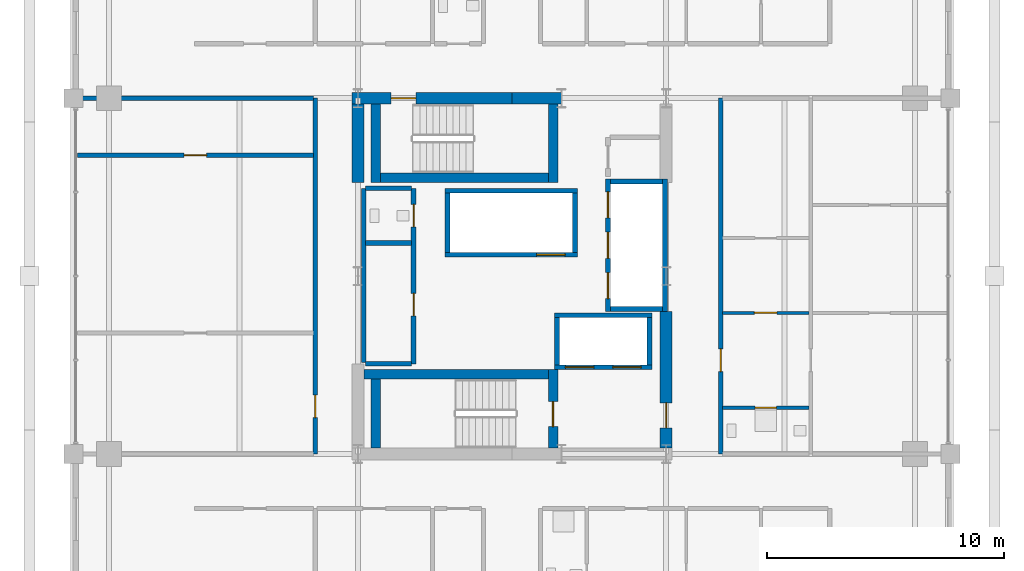
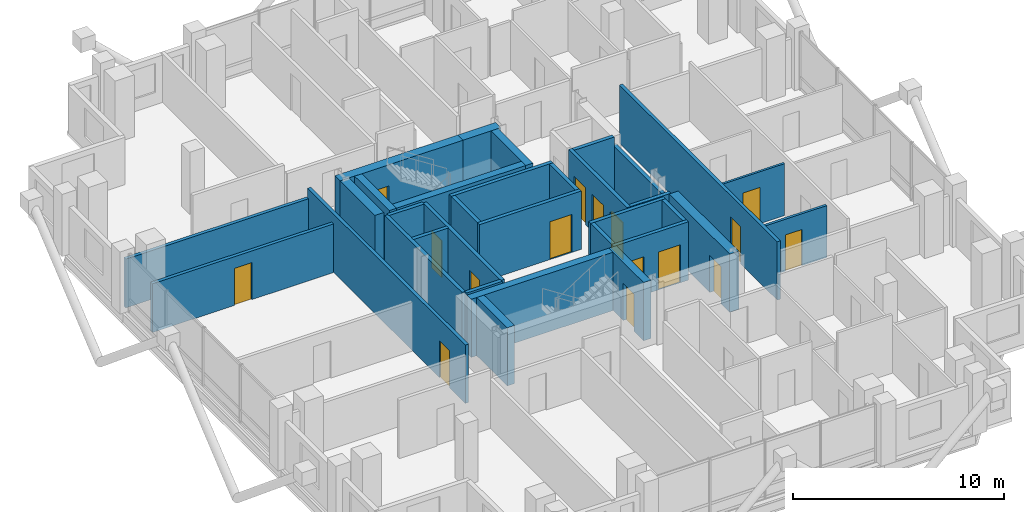
# One storey, part 19 of 24: 33 walls, 16 doors, 16 openings.
"""IFC4 building model written with IfcOpenShell, lengths in metres."""

from ifc_helpers import new_model, si_unit, direction, frame, frame_2d, origin, place, context, subcontext, project, spatial, rectangle, extrude, material, layer, layer_set, type_object, element, fill, save


model = new_model("IFC4")

# Units and contexts
model_context = context("Model", 3, precision=1e-05, world=origin(), true_north=direction((0.0, 1.0)))
body_context = subcontext(model_context, "Body", "Model", "MODEL_VIEW")
ifc_project = project(units=[si_unit("LENGTHUNIT", "METRE"), si_unit("AREAUNIT", "SQUARE_METRE"), si_unit("VOLUMEUNIT", "CUBIC_METRE"), si_unit("PLANEANGLEUNIT", "RADIAN"), si_unit("MASSUNIT", "GRAM", prefix="KILO")], contexts=[model_context])

# Site, building, storey
site_placement = place(None, origin())
site = spatial("IfcSite", under=ifc_project, at=site_placement, CompositionType="ELEMENT")
building_placement = place(site_placement, origin())
building = spatial("IfcBuilding", under=site, at=building_placement, Name="Barlavira Tower and Art Museum", CompositionType="ELEMENT")
storey_placement = place(building_placement, frame((0.0, 0.0, 172.800048828125)))
storey = spatial("IfcBuildingStorey", under=building, at=storey_placement, Name="L44", CompositionType="ELEMENT", Elevation=172.800048828125)

# Wall, opening, door
ifc_material_1 = material(Name="Gypsum acoustic stud partition", Category="gypsum")
ifc_layer_1 = layer(ifc_material_1, 0.1201171875, Name="Gypsum acoustic stud partition")
ifc_layer_set_1 = layer_set([ifc_layer_1], Name="Gypsum acoustic stud partition")
wall_type_1 = type_object("IfcWallType", Name="Apartment Internal Acoustic Partition 120", PredefinedType="PARTITIONING", material=ifc_layer_set_1)
wall_1_placement = place(storey_placement, frame((8.8798828125, -1.550048828125, 0.0), z_axis=(0.0, 0.0, 1.0), x_axis=(1.0, 0.0, 0.0)))
wall_1 = element("IfcWall", 1, at=wall_1_placement, inside=storey, type_object=wall_type_1, Name="L44 Partition Wall 44", PredefinedType="PARTITIONING", context=body_context, shape_type="SweptSolid", body=[
    extrude(rectangle(XDim=3.64013671875, YDim=0.1201171875, at=frame_2d((1.820068359375, 0.0))), origin(), (0.0, 0.0, 1.0), 3.010986328125),
])
opening_1_placement = place(wall_1_placement, frame((1.344970703125, 0.0, 0.0)))
opening_1 = element("IfcOpeningElement", 2, at=opening_1_placement, cuts=wall_1, Name="Opening D-02", PredefinedType="OPENING", context=body_context, shape_type="SweptSolid", body=[
    extrude(rectangle(XDim=0.949951171875, YDim=2.10009765625, at=frame_2d((0.47509765625, 1.050048828125))), frame((0.0, 0.070068359375, 0.0), z_axis=(0.0, -1.0, 0.0), x_axis=(1.0, 0.0, 0.0)), (0.0, 0.0, 1.0), 0.14013671875),
])
ifc_material_2 = material(Name="Engineered coastal hardwood", Category="wood")
door_type_1 = type_object("IfcDoorType", Name="Living and Salon Glazed-Leaf Door 950x2100", OperationType="NOTDEFINED", PredefinedType="DOOR", material=ifc_material_2)
door_1_placement = place(opening_1_placement, origin())
door_1 = element("IfcDoor", 3, at=door_1_placement, inside=storey, type_object=door_type_1, Name="Apartment E1 Kitchen Door", OperationType="SINGLE_SWING_RIGHT", OverallHeight=2.10009765625, OverallWidth=0.949951171875, PredefinedType="DOOR", context=body_context, shape_type="SweptSolid", body=[
    extrude(rectangle(XDim=0.949951171875, YDim=2.10009765625, at=frame_2d((0.47509765625, 1.050048828125))), frame((0.0, 0.02490234375, 0.0), z_axis=(0.0, -1.0, 0.0), x_axis=(1.0, 0.0, 0.0)), (0.0, 0.0, 1.0), 0.050048828125),
])
fill(opening_1, door_1)

ifc_material_3 = material(Name="Concrete C60", Category="concrete")
ifc_layer_2 = layer(ifc_material_3, 0.5, Name="Concrete C60")
ifc_layer_set_2 = layer_set([ifc_layer_2], Name="Concrete C60")
wall_type_2 = type_object("IfcWallType", Name="Core Structural Shear Wall 500 Concrete C60", PredefinedType="SHEAR", material=ifc_layer_set_2)
wall_2_placement = place(storey_placement, frame((-6.75, 7.5, 0.0), z_axis=(0.0, 0.0, 1.0), x_axis=(1.0, 0.0, 0.0)))
wall_2 = element("IfcWall", 4, at=wall_2_placement, inside=storey, type_object=wall_type_2, Name="L44 Core Shear Wall CS-NW", PredefinedType="SHEAR", context=body_context, shape_type="SweptSolid", body=[
    extrude(rectangle(XDim=6.75, YDim=0.5, at=frame_2d((3.375, 0.0))), origin(), (0.0, 0.0, 1.0), 3.3798828125),
])
opening_2_placement = place(wall_2_placement, frame((1.64990234375, 0.0, 0.0)))
opening_2 = element("IfcOpeningElement", 5, at=opening_2_placement, cuts=wall_2, Name="Opening FD-90", PredefinedType="OPENING", context=body_context, shape_type="SweptSolid", body=[
    extrude(rectangle(XDim=1.050048828125, YDim=2.14990234375, at=frame_2d((0.52490234375, 1.074951171875))), frame((0.0, 0.260009765625, 0.0), z_axis=(0.0, -1.0, 0.0), x_axis=(1.0, 0.0, 0.0)), (0.0, 0.0, 1.0), 0.52001953125),
])
ifc_material_4 = material(Name="Brushed stainless steel", Category="steel")
door_type_2 = type_object("IfcDoorType", Name="Stair and Refuge Fire Door 1050x2150 FD90S", OperationType="NOTDEFINED", PredefinedType="DOOR", material=ifc_material_4)
door_2_placement = place(opening_2_placement, origin())
door_2 = element("IfcDoor", 6, at=door_2_placement, inside=storey, type_object=door_type_2, Name="L44 Stair ST-T2 Fire Door", OperationType="SINGLE_SWING_LEFT", OverallHeight=2.14990234375, OverallWidth=1.050048828125, PredefinedType="DOOR", context=body_context, shape_type="SweptSolid", body=[
    extrude(rectangle(XDim=1.050048828125, YDim=2.14990234375, at=frame_2d((0.52490234375, 1.074951171875))), frame((0.0, 0.02490234375, 0.0), z_axis=(0.0, -1.0, 0.0), x_axis=(1.0, 0.0, 0.0)), (0.0, 0.0, 1.0), 0.050048828125),
])
fill(opening_2, door_2)

# Walls
wall_3_placement = place(storey_placement, frame((0.0, 7.5, 0.0), z_axis=(0.0, 0.0, 1.0), x_axis=(1.0, 0.0, 0.0)))
element("IfcWall", 7, at=wall_3_placement, inside=storey, type_object=wall_type_2, Name="L44 Core Shear Wall CS-EN", PredefinedType="SHEAR", context=body_context, shape_type="SweptSolid", body=[
    extrude(rectangle(XDim=2.080078125, YDim=0.5, at=frame_2d((1.0400390625, 0.0))), origin(), (0.0, 0.0, 1.0), 3.3798828125),
])
wall_4_placement = place(storey_placement, frame((-6.5, 3.949951171875, 0.0), z_axis=(0.0, 0.0, 1.0), x_axis=(0.0, 1.0, 0.0)))
element("IfcWall", 8, at=wall_4_placement, inside=storey, type_object=wall_type_2, Name="L44 Core Shear Wall CS-W2", PredefinedType="SHEAR", context=body_context, shape_type="SweptSolid", body=[
    extrude(rectangle(XDim=3.300048828125, YDim=0.5, at=frame_2d((1.64990234375, 0.0))), origin(), (0.0, 0.0, 1.0), 3.3798828125),
])

# Wall, opening, door
wall_5_placement = place(storey_placement, frame((6.5, -7.25, 0.0), z_axis=(0.0, 0.0, 1.0), x_axis=(0.0, 1.0, 0.0)))
wall_5 = element("IfcWall", 9, at=wall_5_placement, inside=storey, type_object=wall_type_2, Name="L44 Core Shear Wall CS-E1", PredefinedType="SHEAR", context=body_context, shape_type="SweptSolid", body=[
    extrude(rectangle(XDim=5.75, YDim=0.5, at=frame_2d((2.875, 0.0))), origin(), (0.0, 0.0, 1.0), 3.3798828125),
])
opening_3_placement = place(wall_5_placement, frame((0.85009765625, 0.0, 0.0)))
opening_3 = element("IfcOpeningElement", 10, at=opening_3_placement, cuts=wall_5, Name="Opening FD-90", PredefinedType="OPENING", context=body_context, shape_type="SweptSolid", body=[
    extrude(rectangle(XDim=1.050048828125, YDim=2.14990234375, at=frame_2d((0.52490234375, 1.074951171875))), frame((0.0, 0.260009765625, 0.0), z_axis=(0.0, -1.0, 0.0), x_axis=(1.0, 0.0, 0.0)), (0.0, 0.0, 1.0), 0.52001953125),
])
door_3_placement = place(opening_3_placement, origin())
door_3 = element("IfcDoor", 11, at=door_3_placement, inside=storey, type_object=door_type_2, Name="L44 Firefighting Lobby Entry Fire Door", OperationType="SINGLE_SWING_LEFT", OverallHeight=2.14990234375, OverallWidth=1.050048828125, PredefinedType="DOOR", context=body_context, shape_type="SweptSolid", body=[
    extrude(rectangle(XDim=1.050048828125, YDim=2.14990234375, at=frame_2d((0.52490234375, 1.074951171875))), frame((0.0, 0.02490234375, 0.0), z_axis=(0.0, -1.0, 0.0), x_axis=(1.0, 0.0, 0.0)), (0.0, 0.0, 1.0), 0.050048828125),
])
fill(opening_3, door_3)

# Wall, openings, doors
ifc_material_5 = material(Name="Autoclaved aerated concrete masonry", Category="masonry")
ifc_layer_3 = layer(ifc_material_5, 0.199951171875, Name="Autoclaved aerated concrete masonry")
ifc_layer_set_3 = layer_set([ifc_layer_3], Name="Autoclaved aerated concrete masonry")
wall_type_3 = type_object("IfcWallType", Name="Fire Compartment and Shaft Wall 200", PredefinedType="SOLIDWALL", material=ifc_layer_set_3)
wall_6_placement = place(storey_placement, frame((4.050048828125, -1.489990234375, 0.0), z_axis=(0.0, 0.0, 1.0), x_axis=(0.0, 1.0, 0.0)))
wall_6 = element("IfcWall", 12, at=wall_6_placement, inside=storey, type_object=wall_type_3, Name="L44 Mid-Rise Lift Front Shaft Wall", PredefinedType="SOLIDWALL", context=body_context, shape_type="SweptSolid", body=[
    extrude(rectangle(XDim=5.580078125, YDim=0.199951171875, at=frame_2d((2.7900390625, 0.0))), origin(), (0.0, 0.0, 1.0), 3.3798828125),
])
opening_4_placement = place(wall_6_placement, frame((0.5400390625, 0.0, 0.0)))
opening_4 = element("IfcOpeningElement", 13, at=opening_4_placement, cuts=wall_6, Name="Opening LD-P", PredefinedType="OPENING", context=body_context, shape_type="SweptSolid", body=[
    extrude(rectangle(XDim=1.10009765625, YDim=2.14990234375, at=frame_2d((0.550048828125, 1.074951171875))), frame((0.0, 0.10986328125, 0.0), z_axis=(0.0, -1.0, 0.0), x_axis=(1.0, 0.0, 0.0)), (0.0, 0.0, 1.0), 0.219970703125),
])
opening_5_placement = place(wall_6_placement, frame((2.239990234375, 0.0, 0.0)))
opening_5 = element("IfcOpeningElement", 14, at=opening_5_placement, cuts=wall_6, Name="Opening LD-P", PredefinedType="OPENING", context=body_context, shape_type="SweptSolid", body=[
    extrude(rectangle(XDim=1.10009765625, YDim=2.14990234375, at=frame_2d((0.550048828125, 1.074951171875))), frame((0.0, 0.10986328125, 0.0), z_axis=(0.0, -1.0, 0.0), x_axis=(1.0, 0.0, 0.0)), (0.0, 0.0, 1.0), 0.219970703125),
])
opening_6_placement = place(wall_6_placement, frame((3.93994140625, 0.0, 0.0)))
opening_6 = element("IfcOpeningElement", 15, at=opening_6_placement, cuts=wall_6, Name="Opening LD-P", PredefinedType="OPENING", context=body_context, shape_type="SweptSolid", body=[
    extrude(rectangle(XDim=1.10009765625, YDim=2.14990234375, at=frame_2d((0.550048828125, 1.074951171875))), frame((0.0, 0.10986328125, 0.0), z_axis=(0.0, -1.0, 0.0), x_axis=(1.0, 0.0, 0.0)), (0.0, 0.0, 1.0), 0.219970703125),
])
door_type_3 = type_object("IfcDoorType", Name="Passenger Lift Sliding Landing Door 1100x2150 FD60", OperationType="NOTDEFINED", PredefinedType="DOOR", material=ifc_material_4)
door_4_placement = place(opening_4_placement, origin())
door_4 = element("IfcDoor", 16, at=door_4_placement, inside=storey, type_object=door_type_3, Name="L44 Lift PM1 Sliding Landing Door", OperationType="DOUBLE_DOOR_SLIDING", OverallHeight=2.14990234375, OverallWidth=1.10009765625, PredefinedType="DOOR", context=body_context, shape_type="SweptSolid", body=[
    extrude(rectangle(XDim=1.10009765625, YDim=2.14990234375, at=frame_2d((0.550048828125, 1.074951171875))), frame((0.0, 0.02490234375, 0.0), z_axis=(0.0, -1.0, 0.0), x_axis=(1.0, 0.0, 0.0)), (0.0, 0.0, 1.0), 0.050048828125),
])
fill(opening_4, door_4)
door_5_placement = place(opening_5_placement, origin())
door_5 = element("IfcDoor", 17, at=door_5_placement, inside=storey, type_object=door_type_3, Name="L44 Lift PM2 Sliding Landing Door", OperationType="DOUBLE_DOOR_SLIDING", OverallHeight=2.14990234375, OverallWidth=1.10009765625, PredefinedType="DOOR", context=body_context, shape_type="SweptSolid", body=[
    extrude(rectangle(XDim=1.10009765625, YDim=2.14990234375, at=frame_2d((0.550048828125, 1.074951171875))), frame((0.0, 0.02490234375, 0.0), z_axis=(0.0, -1.0, 0.0), x_axis=(1.0, 0.0, 0.0)), (0.0, 0.0, 1.0), 0.050048828125),
])
fill(opening_5, door_5)
door_6_placement = place(opening_6_placement, origin())
door_6 = element("IfcDoor", 18, at=door_6_placement, inside=storey, type_object=door_type_3, Name="L44 Lift PM3 Sliding Landing Door", OperationType="DOUBLE_DOOR_SLIDING", OverallHeight=2.14990234375, OverallWidth=1.10009765625, PredefinedType="DOOR", context=body_context, shape_type="SweptSolid", body=[
    extrude(rectangle(XDim=1.10009765625, YDim=2.14990234375, at=frame_2d((0.550048828125, 1.074951171875))), frame((0.0, 0.02490234375, 0.0), z_axis=(0.0, -1.0, 0.0), x_axis=(1.0, 0.0, 0.0)), (0.0, 0.0, 1.0), 0.050048828125),
])
fill(opening_6, door_6)

# Walls
wall_7_placement = place(storey_placement, frame((6.449951171875, -1.489990234375, 0.0), z_axis=(0.0, 0.0, 1.0), x_axis=(0.0, 1.0, 0.0)))
element("IfcWall", 19, at=wall_7_placement, inside=storey, type_object=wall_type_3, Name="L44 Mid-Rise Lift Back Shaft Wall", PredefinedType="SOLIDWALL", context=body_context, shape_type="SweptSolid", body=[
    extrude(rectangle(XDim=5.580078125, YDim=0.199951171875, at=frame_2d((2.7900390625, 0.0))), origin(), (0.0, 0.0, 1.0), 2.825927734375),
])
for number, where, z_axis, x_axis, name in (
    (20, (4.14990234375, -1.389892578125, 0.0), (0.0, 0.0, 1.0), (1.0, 0.0, 0.0), "L44 Mid-Rise Lift South Shaft Wall"),
    (21, (4.14990234375, 3.989990234375, 0.0), (0.0, 0.0, 1.0), (1.0, 0.0, 0.0), "L44 Mid-Rise Lift North Shaft Wall"),
):
    element("IfcWall", number, at=place(storey_placement, frame(where, z_axis=z_axis, x_axis=x_axis)), inside=storey, type_object=wall_type_3, Name=name, PredefinedType="SOLIDWALL", context=body_context, shape_type="SweptSolid", body=[
        extrude(rectangle(XDim=2.2001953125, YDim=0.199951171875, at=frame_2d((1.10009765625, 0.0))), origin(), (0.0, 0.0, 1.0), 3.3798828125),
    ])

# Wall, opening, door
wall_8_placement = place(storey_placement, frame((-2.820068359375, 0.89990234375, 0.0), z_axis=(0.0, 0.0, 1.0), x_axis=(1.0, 0.0, 0.0)))
wall_8 = element("IfcWall", 22, at=wall_8_placement, inside=storey, type_object=wall_type_3, Name="L44 High-Rise & Service Lift Front Wall", PredefinedType="SOLIDWALL", context=body_context, shape_type="SweptSolid", body=[
    extrude(rectangle(XDim=5.580078125, YDim=0.199951171875, at=frame_2d((2.7900390625, 0.0))), origin(), (0.0, 0.0, 1.0), 3.3798828125),
])
opening_7_placement = place(wall_8_placement, frame((3.860107421875, 0.0, 0.0)))
opening_7 = element("IfcOpeningElement", 23, at=opening_7_placement, cuts=wall_8, Name="Opening LD-F", PredefinedType="OPENING", context=body_context, shape_type="SweptSolid", body=[
    extrude(rectangle(XDim=1.199951171875, YDim=2.199951171875, at=frame_2d((0.60009765625, 1.10009765625))), frame((0.0, 0.10986328125, 0.0), z_axis=(0.0, -1.0, 0.0), x_axis=(1.0, 0.0, 0.0)), (0.0, 0.0, 1.0), 0.219970703125),
])
door_type_4 = type_object("IfcDoorType", Name="Firefighting and Service Lift Sliding Door 1200x2200 FD120", OperationType="NOTDEFINED", PredefinedType="DOOR", material=ifc_material_4)
door_7_placement = place(opening_7_placement, origin())
door_7 = element("IfcDoor", 24, at=door_7_placement, inside=storey, type_object=door_type_4, Name="L44 Stretcher Service Lift SL1 Sliding Door", OperationType="DOUBLE_DOOR_SLIDING", OverallHeight=2.199951171875, OverallWidth=1.199951171875, PredefinedType="DOOR", context=body_context, shape_type="SweptSolid", body=[
    extrude(rectangle(XDim=1.199951171875, YDim=2.199951171875, at=frame_2d((0.60009765625, 1.10009765625))), frame((0.0, 0.02490234375, 0.0), z_axis=(0.0, -1.0, 0.0), x_axis=(1.0, 0.0, 0.0)), (0.0, 0.0, 1.0), 0.050048828125),
])
fill(opening_7, door_7)

# Walls
wall_9_placement = place(storey_placement, frame((-2.820068359375, 3.60009765625, 0.0), z_axis=(0.0, 0.0, 1.0), x_axis=(1.0, 0.0, 0.0)))
element("IfcWall", 25, at=wall_9_placement, inside=storey, type_object=wall_type_3, Name="L44 High-Rise & Service Lift Back Wall", PredefinedType="SOLIDWALL", context=body_context, shape_type="SweptSolid", body=[
    extrude(rectangle(XDim=5.580078125, YDim=0.199951171875, at=frame_2d((2.7900390625, 0.0))), origin(), (0.0, 0.0, 1.0), 3.3798828125),
])
for number, where, z_axis, x_axis, name in (
    (26, (-2.719970703125, 1.0, 0.0), (0.0, 0.0, 1.0), (0.0, 1.0, 0.0), "L44 High-Rise & Service Lift West Wall"),
    (27, (2.659912109375, 1.0, 0.0), (0.0, 0.0, 1.0), (0.0, 1.0, 0.0), "L44 High-Rise & Service Lift East Wall"),
):
    element("IfcWall", number, at=place(storey_placement, frame(where, z_axis=z_axis, x_axis=x_axis)), inside=storey, type_object=wall_type_3, Name=name, PredefinedType="SOLIDWALL", context=body_context, shape_type="SweptSolid", body=[
        extrude(rectangle(XDim=2.5, YDim=0.199951171875, at=frame_2d((1.25, 0.0))), origin(), (0.0, 0.0, 1.0), 3.3798828125),
    ])

# Wall, openings, doors
wall_10_placement = place(storey_placement, frame((1.800048828125, -3.85009765625, 0.0), z_axis=(0.0, 0.0, 1.0), x_axis=(1.0, 0.0, 0.0)))
wall_10 = element("IfcWall", 28, at=wall_10_placement, inside=storey, type_object=wall_type_3, Name="L44 Firefighting Lift Front Shaft Wall", PredefinedType="SOLIDWALL", context=body_context, shape_type="SweptSolid", body=[
    extrude(rectangle(XDim=4.099853515625, YDim=0.199951171875, at=frame_2d((2.0498046875, 0.0))), origin(), (0.0, 0.0, 1.0), 3.3798828125),
])
opening_8_placement = place(wall_10_placement, frame((0.449951171875, 0.0, 0.0)))
opening_8 = element("IfcOpeningElement", 29, at=opening_8_placement, cuts=wall_10, Name="Opening LD-F", PredefinedType="OPENING", context=body_context, shape_type="SweptSolid", body=[
    extrude(rectangle(XDim=1.199951171875, YDim=2.199951171875, at=frame_2d((0.60009765625, 1.10009765625))), frame((0.0, 0.10986328125, 0.0), z_axis=(0.0, -1.0, 0.0), x_axis=(1.0, 0.0, 0.0)), (0.0, 0.0, 1.0), 0.219970703125),
])
opening_9_placement = place(wall_10_placement, frame((2.449951171875, 0.0, 0.0)))
opening_9 = element("IfcOpeningElement", 30, at=opening_9_placement, cuts=wall_10, Name="Opening LD-F", PredefinedType="OPENING", context=body_context, shape_type="SweptSolid", body=[
    extrude(rectangle(XDim=1.199951171875, YDim=2.199951171875, at=frame_2d((0.60009765625, 1.10009765625))), frame((0.0, 0.10986328125, 0.0), z_axis=(0.0, -1.0, 0.0), x_axis=(1.0, 0.0, 0.0)), (0.0, 0.0, 1.0), 0.219970703125),
])
door_8_placement = place(opening_8_placement, origin())
door_8 = element("IfcDoor", 31, at=door_8_placement, inside=storey, type_object=door_type_4, Name="L44 Firefighting Lift FF1 Sliding Door", OperationType="DOUBLE_DOOR_SLIDING", OverallHeight=2.199951171875, OverallWidth=1.199951171875, PredefinedType="DOOR", context=body_context, shape_type="SweptSolid", body=[
    extrude(rectangle(XDim=1.199951171875, YDim=2.199951171875, at=frame_2d((0.60009765625, 1.10009765625))), frame((0.0, 0.02490234375, 0.0), z_axis=(0.0, -1.0, 0.0), x_axis=(1.0, 0.0, 0.0)), (0.0, 0.0, 1.0), 0.050048828125),
])
fill(opening_8, door_8)
door_9_placement = place(opening_9_placement, origin())
door_9 = element("IfcDoor", 32, at=door_9_placement, inside=storey, type_object=door_type_4, Name="L44 Firefighting Lift FF2 Sliding Door", OperationType="DOUBLE_DOOR_SLIDING", OverallHeight=2.199951171875, OverallWidth=1.199951171875, PredefinedType="DOOR", context=body_context, shape_type="SweptSolid", body=[
    extrude(rectangle(XDim=1.199951171875, YDim=2.199951171875, at=frame_2d((0.60009765625, 1.10009765625))), frame((0.0, 0.02490234375, 0.0), z_axis=(0.0, -1.0, 0.0), x_axis=(1.0, 0.0, 0.0)), (0.0, 0.0, 1.0), 0.050048828125),
])
fill(opening_9, door_9)

# Walls
wall_11_placement = place(storey_placement, frame((1.800048828125, -1.64990234375, 0.0), z_axis=(0.0, 0.0, 1.0), x_axis=(1.0, 0.0, 0.0)))
element("IfcWall", 33, at=wall_11_placement, inside=storey, type_object=wall_type_3, Name="L44 Firefighting Lift Back Shaft Wall", PredefinedType="SOLIDWALL", context=body_context, shape_type="SweptSolid", body=[
    extrude(rectangle(XDim=4.099853515625, YDim=0.199951171875, at=frame_2d((2.0498046875, 0.0))), origin(), (0.0, 0.0, 1.0), 3.3798828125),
])
for number, where, z_axis, x_axis, name in (
    (34, (1.89990234375, -3.75, 0.0), (0.0, 0.0, 1.0), (0.0, 1.0, 0.0), "L44 Firefighting Lift West Shaft Wall"),
    (35, (5.800048828125, -3.75, 0.0), (0.0, 0.0, 1.0), (0.0, 1.0, 0.0), "L44 Firefighting Lift East Shaft Wall"),
):
    element("IfcWall", number, at=place(storey_placement, frame(where, z_axis=z_axis, x_axis=x_axis)), inside=storey, type_object=wall_type_3, Name=name, PredefinedType="SOLIDWALL", context=body_context, shape_type="SweptSolid", body=[
        extrude(rectangle(XDim=2.0, YDim=0.199951171875, at=frame_2d((1.0, 0.0))), origin(), (0.0, 0.0, 1.0), 3.3798828125),
    ])
wall_12_placement = place(storey_placement, frame((-6.25, -3.639892578125, 0.0), z_axis=(0.0, 0.0, 1.0), x_axis=(0.0, 1.0, 0.0)))
element("IfcWall", 36, at=wall_12_placement, inside=storey, type_object=wall_type_3, Name="L44 Partition Wall 4", PredefinedType="SOLIDWALL", context=body_context, shape_type="SweptSolid", body=[
    extrude(rectangle(XDim=7.33984375, YDim=0.199951171875, at=frame_2d((3.669921875, 0.0))), origin(), (0.0, 0.0, 1.0), 3.3798828125),
])

# Wall, openings, doors
wall_13_placement = place(storey_placement, frame((-4.14990234375, -3.699951171875, 0.0), z_axis=(0.0, 0.0, 1.0), x_axis=(0.0, 1.0, 0.0)))
wall_13 = element("IfcWall", 37, at=wall_13_placement, inside=storey, type_object=wall_type_3, Name="L44 Partition Wall 5", PredefinedType="SOLIDWALL", context=body_context, shape_type="SweptSolid", body=[
    extrude(rectangle(XDim=7.39990234375, YDim=0.199951171875, at=frame_2d((3.699951171875, 0.0))), origin(), (0.0, 0.0, 1.0), 3.3798828125),
])
opening_10_placement = place(wall_13_placement, frame((2.02490234375, 0.0, 0.0)))
opening_10 = element("IfcOpeningElement", 38, at=opening_10_placement, cuts=wall_13, Name="Opening FD-60", PredefinedType="OPENING", context=body_context, shape_type="SweptSolid", body=[
    extrude(rectangle(XDim=0.949951171875, YDim=2.14990234375, at=frame_2d((0.47509765625, 1.074951171875))), frame((0.0, 0.10986328125, 0.0), z_axis=(0.0, -1.0, 0.0), x_axis=(1.0, 0.0, 0.0)), (0.0, 0.0, 1.0), 0.219970703125),
])
opening_11_placement = place(wall_13_placement, frame((5.77490234375, 0.0, 0.0)))
opening_11 = element("IfcOpeningElement", 39, at=opening_11_placement, cuts=wall_13, Name="Opening FD-60", PredefinedType="OPENING", context=body_context, shape_type="SweptSolid", body=[
    extrude(rectangle(XDim=0.949951171875, YDim=2.14990234375, at=frame_2d((0.47509765625, 1.074951171875))), frame((0.0, 0.10986328125, 0.0), z_axis=(0.0, -1.0, 0.0), x_axis=(1.0, 0.0, 0.0)), (0.0, 0.0, 1.0), 0.219970703125),
])
door_type_5 = type_object("IfcDoorType", Name="Apartment Entrance and Riser Fire Door 950x2150 FD60S", OperationType="NOTDEFINED", PredefinedType="DOOR", material=ifc_material_4)
door_10_placement = place(opening_10_placement, origin())
door_10 = element("IfcDoor", 40, at=door_10_placement, inside=storey, type_object=door_type_5, Name="Reclaimed Core Resident Parcel Room Door", OperationType="SINGLE_SWING_LEFT", OverallHeight=2.14990234375, OverallWidth=0.949951171875, PredefinedType="DOOR", context=body_context, shape_type="SweptSolid", body=[
    extrude(rectangle(XDim=0.949951171875, YDim=2.14990234375, at=frame_2d((0.47509765625, 1.074951171875))), frame((0.0, 0.02490234375, 0.0), z_axis=(0.0, -1.0, 0.0), x_axis=(1.0, 0.0, 0.0)), (0.0, 0.0, 1.0), 0.050048828125),
])
fill(opening_10, door_10)
door_11_placement = place(opening_11_placement, origin())
door_11 = element("IfcDoor", 41, at=door_11_placement, inside=storey, type_object=door_type_5, Name="Reclaimed Core Accessible WC Door", OperationType="SINGLE_SWING_RIGHT", OverallHeight=2.14990234375, OverallWidth=0.949951171875, PredefinedType="DOOR", context=body_context, shape_type="SweptSolid", body=[
    extrude(rectangle(XDim=0.949951171875, YDim=2.14990234375, at=frame_2d((0.47509765625, 1.074951171875))), frame((0.0, 0.02490234375, 0.0), z_axis=(0.0, -1.0, 0.0), x_axis=(1.0, 0.0, 0.0)), (0.0, 0.0, 1.0), 0.050048828125),
])
fill(opening_11, door_11)

# Walls
for number, where, z_axis, x_axis, name in (
    (42, (-6.169921875, -3.699951171875, 0.0), (0.0, 0.0, 1.0), (1.0, 0.0, 0.0), "L44 Partition Wall 42"),
    (43, (-6.169921875, 1.39990234375, 0.0), (0.0, 0.0, 1.0), (1.0, 0.0, 0.0), "L44 Partition Wall 46"),
    (44, (-6.169921875, 3.699951171875, 0.0), (0.0, 0.0, 1.0), (1.0, 0.0, 0.0), "L44 Partition Wall 49"),
):
    element("IfcWall", number, at=place(storey_placement, frame(where, z_axis=z_axis, x_axis=x_axis)), inside=storey, type_object=wall_type_3, Name=name, PredefinedType="SOLIDWALL", context=body_context, shape_type="SweptSolid", body=[
        extrude(rectangle(XDim=1.93994140625, YDim=0.199951171875, at=frame_2d((0.969970703125, 0.0))), origin(), (0.0, 0.0, 1.0), 3.3798828125),
    ])

# Wall, opening, door
ifc_layer_4 = layer(ifc_material_1, 0.179931640625, Name="Gypsum acoustic stud partition")
ifc_layer_set_4 = layer_set([ifc_layer_4], Name="Gypsum acoustic stud partition")
wall_type_4 = type_object("IfcWallType", Name="Inter-Tenancy Party Partition Wall 180", PredefinedType="PARTITIONING", material=ifc_layer_set_4)
wall_14_placement = place(storey_placement, frame((-8.300048828125, -7.5, 0.0), z_axis=(0.0, 0.0, 1.0), x_axis=(0.0, 1.0, 0.0)))
wall_14 = element("IfcWall", 45, at=wall_14_placement, inside=storey, type_object=wall_type_4, Name="L44 Partition Wall 2", PredefinedType="PARTITIONING", context=body_context, shape_type="SweptSolid", body=[
    extrude(rectangle(XDim=15.0, YDim=0.179931640625, at=frame_2d((7.5, 0.0))), origin(), (0.0, 0.0, 1.0), 3.3798828125),
])
opening_12_placement = place(wall_14_placement, frame((1.52490234375, 0.0, 0.0)))
opening_12 = element("IfcOpeningElement", 46, at=opening_12_placement, cuts=wall_14, Name="Opening FD-60", PredefinedType="OPENING", context=body_context, shape_type="SweptSolid", body=[
    extrude(rectangle(XDim=0.949951171875, YDim=2.14990234375, at=frame_2d((0.47509765625, 1.074951171875))), frame((0.0, 0.10009765625, 0.0), z_axis=(0.0, -1.0, 0.0), x_axis=(1.0, 0.0, 0.0)), (0.0, 0.0, 1.0), 0.199951171875),
])
door_12_placement = place(opening_12_placement, origin())
door_12 = element("IfcDoor", 47, at=door_12_placement, inside=storey, type_object=door_type_5, Name="Resident Rare-Book Reading Room Door", OperationType="SINGLE_SWING_LEFT", OverallHeight=2.14990234375, OverallWidth=0.949951171875, PredefinedType="DOOR", context=body_context, shape_type="SweptSolid", body=[
    extrude(rectangle(XDim=0.949951171875, YDim=2.14990234375, at=frame_2d((0.47509765625, 1.074951171875))), frame((0.0, 0.02490234375, 0.0), z_axis=(0.0, -1.0, 0.0), x_axis=(1.0, 0.0, 0.0)), (0.0, 0.0, 1.0), 0.050048828125),
])
fill(opening_12, door_12)

wall_15_placement = place(storey_placement, frame((8.800048828125, -7.5, 0.0), z_axis=(0.0, 0.0, 1.0), x_axis=(0.0, 1.0, 0.0)))
wall_15 = element("IfcWall", 48, at=wall_15_placement, inside=storey, type_object=wall_type_4, Name="L44 Partition Wall 19", PredefinedType="PARTITIONING", context=body_context, shape_type="SweptSolid", body=[
    extrude(rectangle(XDim=15.0, YDim=0.179931640625, at=frame_2d((7.5, 0.0))), origin(), (0.0, 0.0, 1.0), 3.3798828125),
])
opening_13_placement = place(wall_15_placement, frame((3.47509765625, 0.0, 0.0)))
opening_13 = element("IfcOpeningElement", 49, at=opening_13_placement, cuts=wall_15, Name="Opening FD-60", PredefinedType="OPENING", context=body_context, shape_type="SweptSolid", body=[
    extrude(rectangle(XDim=0.949951171875, YDim=2.14990234375, at=frame_2d((0.47509765625, 1.074951171875))), frame((0.0, 0.10009765625, 0.0), z_axis=(0.0, -1.0, 0.0), x_axis=(1.0, 0.0, 0.0)), (0.0, 0.0, 1.0), 0.199951171875),
])
door_13_placement = place(opening_13_placement, origin())
door_13 = element("IfcDoor", 50, at=door_13_placement, inside=storey, type_object=door_type_5, Name="Apartment Entrance Hall E1 Door", OperationType="SINGLE_SWING_LEFT", OverallHeight=2.14990234375, OverallWidth=0.949951171875, PredefinedType="DOOR", context=body_context, shape_type="SweptSolid", body=[
    extrude(rectangle(XDim=0.949951171875, YDim=2.14990234375, at=frame_2d((0.47509765625, 1.074951171875))), frame((0.0, 0.02490234375, 0.0), z_axis=(0.0, -1.0, 0.0), x_axis=(1.0, 0.0, 0.0)), (0.0, 0.0, 1.0), 0.050048828125),
])
fill(opening_13, door_13)

wall_16_placement = place(storey_placement, frame((-18.320068359375, 5.10009765625, 0.0), z_axis=(0.0, 0.0, 1.0), x_axis=(1.0, 0.0, 0.0)))
wall_16 = element("IfcWall", 51, at=wall_16_placement, inside=storey, type_object=wall_type_4, Name="L44 Partition Wall 50", PredefinedType="PARTITIONING", context=body_context, shape_type="SweptSolid", body=[
    extrude(rectangle(XDim=9.940185546875, YDim=0.179931640625, at=frame_2d((4.97021484375, 0.0))), origin(), (0.0, 0.0, 1.0), 2.825927734375),
])
opening_14_placement = place(wall_16_placement, frame((4.4951171875, 0.0, 0.0)))
opening_14 = element("IfcOpeningElement", 52, at=opening_14_placement, cuts=wall_16, Name="Opening FD-60", PredefinedType="OPENING", context=body_context, shape_type="SweptSolid", body=[
    extrude(rectangle(XDim=0.949951171875, YDim=2.14990234375, at=frame_2d((0.47509765625, 1.074951171875))), frame((0.0, 0.10009765625, 0.0), z_axis=(0.0, -1.0, 0.0), x_axis=(1.0, 0.0, 0.0)), (0.0, 0.0, 1.0), 0.199951171875),
])
door_14_placement = place(opening_14_placement, origin())
door_14 = element("IfcDoor", 53, at=door_14_placement, inside=storey, type_object=door_type_5, Name="Shared Catering Kitchen Door", OperationType="SINGLE_SWING_LEFT", OverallHeight=2.14990234375, OverallWidth=0.949951171875, PredefinedType="DOOR", context=body_context, shape_type="SweptSolid", body=[
    extrude(rectangle(XDim=0.949951171875, YDim=2.14990234375, at=frame_2d((0.47509765625, 1.074951171875))), frame((0.0, 0.02490234375, 0.0), z_axis=(0.0, -1.0, 0.0), x_axis=(1.0, 0.0, 0.0)), (0.0, 0.0, 1.0), 0.050048828125),
])
fill(opening_14, door_14)

# Wall
wall_17_placement = place(storey_placement, frame((-18.39990234375, 7.5, 0.0), z_axis=(0.0, 0.0, 1.0), x_axis=(1.0, 0.0, 0.0)))
element("IfcWall", 54, at=wall_17_placement, inside=storey, type_object=wall_type_4, Name="L44 Partition Wall 52", PredefinedType="PARTITIONING", context=body_context, shape_type="SweptSolid", body=[
    extrude(rectangle(XDim=10.02001953125, YDim=0.179931640625, at=frame_2d((5.010009765625, 0.0))), origin(), (0.0, 0.0, 1.0), 2.825927734375),
])

# Wall, opening, door
ifc_layer_5 = layer(ifc_material_1, 0.139892578125, Name="Gypsum acoustic stud partition")
ifc_layer_set_5 = layer_set([ifc_layer_5], Name="Gypsum acoustic stud partition")
wall_type_5 = type_object("IfcWallType", Name="Moisture-Resistant Bathroom Partition 140", PredefinedType="PARTITIONING", material=ifc_layer_set_5)
wall_18_placement = place(storey_placement, frame((8.8798828125, -5.550048828125, 0.0), z_axis=(0.0, 0.0, 1.0), x_axis=(1.0, 0.0, 0.0)))
wall_18 = element("IfcWall", 55, at=wall_18_placement, inside=storey, type_object=wall_type_5, Name="L44 Partition Wall 41", PredefinedType="PARTITIONING", context=body_context, shape_type="SweptSolid", body=[
    extrude(rectangle(XDim=3.64013671875, YDim=0.139892578125, at=frame_2d((1.820068359375, 0.0))), origin(), (0.0, 0.0, 1.0), 3.010986328125),
])
opening_15_placement = place(wall_18_placement, frame((1.3701171875, 0.0, 0.0)))
opening_15 = element("IfcOpeningElement", 56, at=opening_15_placement, cuts=wall_18, Name="Opening D-WC", PredefinedType="OPENING", context=body_context, shape_type="SweptSolid", body=[
    extrude(rectangle(XDim=0.89990234375, YDim=2.10009765625, at=frame_2d((0.449951171875, 1.050048828125))), frame((0.0, 0.080078125, 0.0), z_axis=(0.0, -1.0, 0.0), x_axis=(1.0, 0.0, 0.0)), (0.0, 0.0, 1.0), 0.159912109375),
])
door_type_6 = type_object("IfcDoorType", Name="Accessible Bathroom Flush Door 900x2100", OperationType="NOTDEFINED", PredefinedType="DOOR", material=ifc_material_2)
door_15_placement = place(opening_15_placement, origin())
door_15 = element("IfcDoor", 57, at=door_15_placement, inside=storey, type_object=door_type_6, Name="Apartment E1 Hall Bathroom Door", OperationType="SINGLE_SWING_RIGHT", OverallHeight=2.10009765625, OverallWidth=0.89990234375, PredefinedType="DOOR", context=body_context, shape_type="SweptSolid", body=[
    extrude(rectangle(XDim=0.89990234375, YDim=2.10009765625, at=frame_2d((0.449951171875, 1.050048828125))), frame((0.0, 0.02490234375, 0.0), z_axis=(0.0, -1.0, 0.0), x_axis=(1.0, 0.0, 0.0)), (0.0, 0.0, 1.0), 0.050048828125),
])
fill(opening_15, door_15)

# Walls
ifc_material_6 = material(Name="Concrete C55", Category="concrete")
ifc_layer_6 = layer(ifc_material_6, 0.39990234375, Name="Concrete C55")
ifc_layer_set_6 = layer_set([ifc_layer_6], Name="Concrete C55")
wall_type_6 = type_object("IfcWallType", Name="Upper Core Shear Wall 400 Concrete C55", PredefinedType="SHEAR", material=ifc_layer_set_6)
wall_19_placement = place(storey_placement, frame((-5.75, -7.25, 0.0), z_axis=(0.0, 0.0, 1.0), x_axis=(0.0, 1.0, 0.0)))
element("IfcWall", 58, at=wall_19_placement, inside=storey, type_object=wall_type_6, Name="L44 ST-T1 West Half-Landing Wall", PredefinedType="SHEAR", context=body_context, shape_type="SweptSolid", body=[
    extrude(rectangle(XDim=2.89990234375, YDim=0.39990234375, at=frame_2d((1.449951171875, 0.0))), origin(), (0.0, 0.0, 1.0), 3.3798828125),
])
wall_20_placement = place(storey_placement, frame((-6.25, -4.14990234375, 0.0), z_axis=(0.0, 0.0, 1.0), x_axis=(1.0, 0.0, 0.0)))
element("IfcWall", 59, at=wall_20_placement, inside=storey, type_object=wall_type_6, Name="L44 ST-T1 North Shaft Wall", PredefinedType="SHEAR", context=body_context, shape_type="SweptSolid", body=[
    extrude(rectangle(XDim=7.780029296875, YDim=0.39990234375, at=frame_2d((3.89013671875, 0.0))), origin(), (0.0, 0.0, 1.0), 3.3798828125),
])

# Wall, opening, door
wall_21_placement = place(storey_placement, frame((1.72998046875, -7.25, 0.0), z_axis=(0.0, 0.0, 1.0), x_axis=(0.0, 1.0, 0.0)))
wall_21 = element("IfcWall", 60, at=wall_21_placement, inside=storey, type_object=wall_type_6, Name="L44 ST-T1 East Landing Wall", PredefinedType="SHEAR", context=body_context, shape_type="SweptSolid", body=[
    extrude(rectangle(XDim=3.300048828125, YDim=0.39990234375, at=frame_2d((1.64990234375, 0.0))), origin(), (0.0, 0.0, 1.0), 3.3798828125),
])
opening_16_placement = place(wall_21_placement, frame((0.89990234375, 0.0, 0.0)))
opening_16 = element("IfcOpeningElement", 61, at=opening_16_placement, cuts=wall_21, Name="Opening FD-90", PredefinedType="OPENING", context=body_context, shape_type="SweptSolid", body=[
    extrude(rectangle(XDim=1.050048828125, YDim=2.14990234375, at=frame_2d((0.52490234375, 1.074951171875))), frame((0.0, 0.2099609375, 0.0), z_axis=(0.0, -1.0, 0.0), x_axis=(1.0, 0.0, 0.0)), (0.0, 0.0, 1.0), 0.419921875),
])
door_16_placement = place(opening_16_placement, origin())
door_16 = element("IfcDoor", 62, at=door_16_placement, inside=storey, type_object=door_type_2, Name="L44 Stair ST-T1 Fire Door", OperationType="SINGLE_SWING_RIGHT", OverallHeight=2.14990234375, OverallWidth=1.050048828125, PredefinedType="DOOR", context=body_context, shape_type="SweptSolid", body=[
    extrude(rectangle(XDim=1.050048828125, YDim=2.14990234375, at=frame_2d((0.52490234375, 1.074951171875))), frame((0.0, 0.02490234375, 0.0), z_axis=(0.0, -1.0, 0.0), x_axis=(1.0, 0.0, 0.0)), (0.0, 0.0, 1.0), 0.050048828125),
])
fill(opening_16, door_16)

# Walls
wall_22_placement = place(storey_placement, frame((-5.550048828125, 4.14990234375, 0.0), z_axis=(0.0, 0.0, 1.0), x_axis=(1.0, 0.0, 0.0)))
element("IfcWall", 63, at=wall_22_placement, inside=storey, type_object=wall_type_6, Name="L44 ST-T2 South Shaft Wall", PredefinedType="SHEAR", context=body_context, shape_type="SweptSolid", body=[
    extrude(rectangle(XDim=7.080078125, YDim=0.39990234375, at=frame_2d((3.5400390625, 0.0))), origin(), (0.0, 0.0, 1.0), 3.3798828125),
])
for number, where, z_axis, x_axis, name in (
    (64, (1.72998046875, 3.949951171875, 0.0), (0.0, 0.0, 1.0), (0.0, 1.0, 0.0), "L44 ST-T2 East Half-Landing Wall"),
    (65, (-5.75, 3.949951171875, 0.0), (0.0, 0.0, 1.0), (0.0, 1.0, 0.0), "L44 ST-T2 West Shaft Wall"),
):
    element("IfcWall", number, at=place(storey_placement, frame(where, z_axis=z_axis, x_axis=x_axis)), inside=storey, type_object=wall_type_6, Name=name, PredefinedType="SHEAR", context=body_context, shape_type="SweptSolid", body=[
        extrude(rectangle(XDim=3.300048828125, YDim=0.39990234375, at=frame_2d((1.64990234375, 0.0))), origin(), (0.0, 0.0, 1.0), 3.3798828125),
    ])

save(model, "model.ifc")
